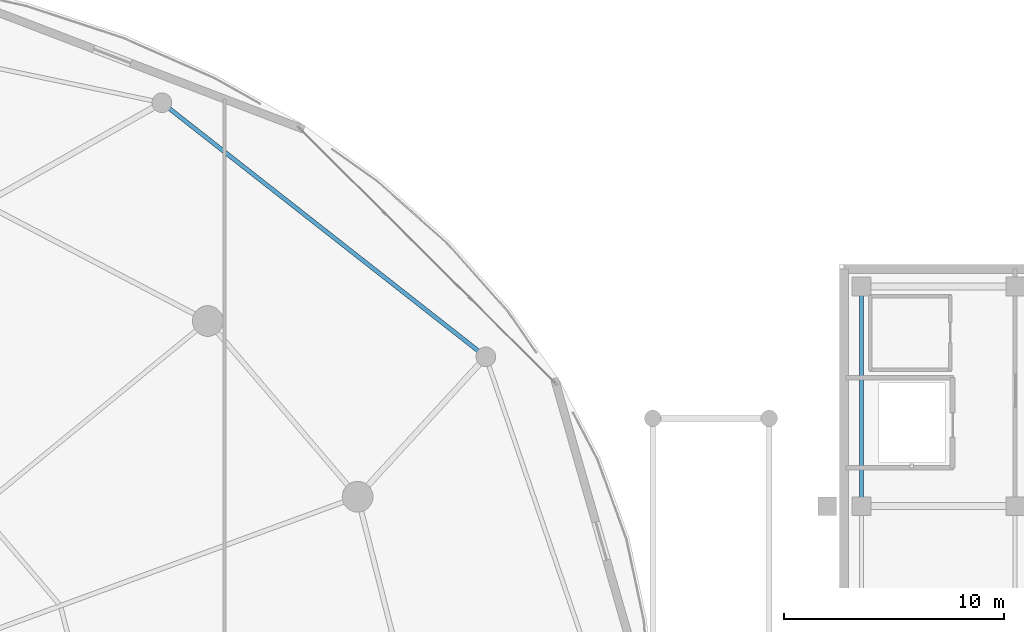
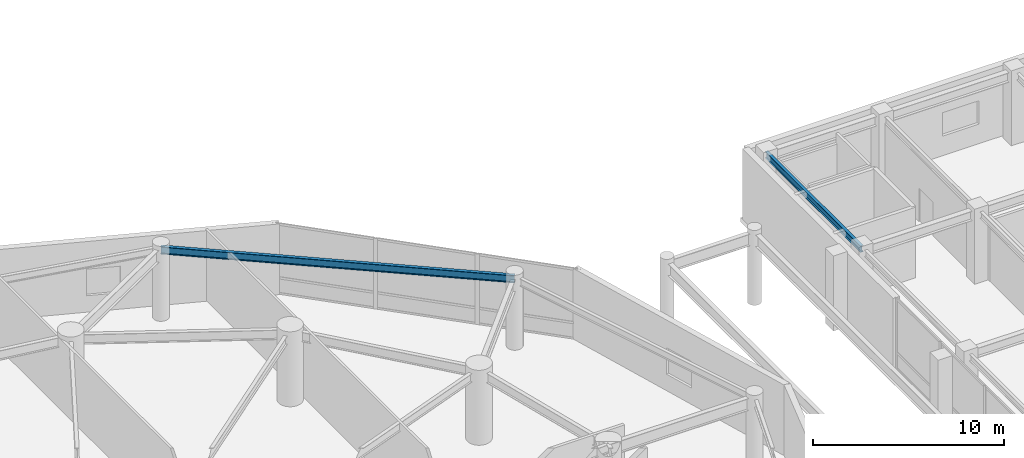
# One storey, part 19 of 40: 2 beams.
"""IFC4 building model written with IfcOpenShell, lengths in metres."""

import ifcopenshell
import ifcopenshell.guid

model = None  # the IFC model being written
_history = None  # IfcOwnerHistory: only IFC2X3 demands one
_inside = {}  # id of a spatial element -> (the spatial element, [elements in it])
_under = {}  # id of a project, library or spatial element -> (it, [spatial elements below it])
_declared = {}  # id of a project -> (the project, [libraries it declares])
_typed = {}  # id of a type object -> (the type object, [elements of that type])
_made_of = {}  # id of a material, layer set ... -> (it, [elements and type objects made of it])


def new_model(schema):
    """Start an empty IFC model of exactly this schema.

    Asked for "IFC4X3", IfcOpenShell would pick the latest addendum, in which some entities
    have other attributes; the version numbers below select the first issue.
    IFC2X3 requires an IfcOwnerHistory on every rooted entity: one is made here for all.
    """
    global model, _history
    if schema == "IFC4X3":
        model = ifcopenshell.file(schema_version=(4, 3, 0, 0))
    else:
        model = ifcopenshell.file(schema=schema)
    _inside.clear()
    _under.clear()
    _declared.clear()
    _typed.clear()
    _made_of.clear()
    _history = None
    if model.schema == "IFC2X3":
        org = make("IfcOrganization", Name="unknown")
        user = make(
            "IfcPersonAndOrganization",
            ThePerson=make("IfcPerson", FamilyName="unknown"),
            TheOrganization=org,
        )
        app = make(
            "IfcApplication",
            ApplicationDeveloper=org,
            Version="unknown",
            ApplicationFullName="unknown",
            ApplicationIdentifier="unknown",
        )
        _history = make(
            "IfcOwnerHistory",
            OwningUser=user,
            OwningApplication=app,
            ChangeAction="ADDED",
            CreationDate=0,
        )
    return model


def make(cls, **values):
    """One entity of the class cls with the attributes given. An attribute that is None is left unset."""
    return model.create_entity(
        cls, **{name: value for name, value in values.items() if value is not None}
    )


def rooted(cls, **values):
    """An entity with a GlobalId (a new one), such as an element, a storey or a relation."""
    return make(cls, GlobalId=ifcopenshell.guid.new(), OwnerHistory=_history, **values)


def si_unit(unit_type, name, prefix=None):
    """IfcSIUnit, for example si_unit("LENGTHUNIT", "METRE", prefix="MILLI")."""
    return make("IfcSIUnit", UnitType=unit_type, Prefix=prefix, Name=name)


def assignment(units):
    """IfcUnitAssignment: the units of a project."""
    return None if units is None else make("IfcUnitAssignment", Units=units)


def point(xyz):
    """IfcCartesianPoint."""
    return None if xyz is None else make("IfcCartesianPoint", Coordinates=xyz)


def direction(xyz):
    """IfcDirection."""
    return None if xyz is None else make("IfcDirection", DirectionRatios=xyz)


def frame(location, z_axis=None, x_axis=None):
    """IfcAxis2Placement3D, a coordinate frame: its origin and axes. An axis left out is left unset."""
    return make(
        "IfcAxis2Placement3D",
        Location=point(location),
        Axis=direction(z_axis),
        RefDirection=direction(x_axis),
    )


def frame_2d(location, x_axis=None):
    """IfcAxis2Placement2D, a coordinate frame in the plane: its origin and x axis."""
    return make(
        "IfcAxis2Placement2D", Location=point(location), RefDirection=direction(x_axis)
    )


def origin():
    """The frame at (0, 0, 0) with its axes left unset."""
    return frame((0.0, 0.0, 0.0))


def origin_2d():
    """The frame at (0, 0) in the plane with its x axis left unset."""
    return frame_2d((0.0, 0.0))


def place(relative_to, where):
    """IfcLocalPlacement: puts the frame where relative to a parent placement (None: the world)."""
    return make(
        "IfcLocalPlacement", PlacementRelTo=relative_to, RelativePlacement=where
    )


def context(
    kind, dimensions, precision=None, world=None, true_north=None, identifier=None
):
    """IfcGeometricRepresentationContext, for example the 3D "Model" context."""
    return make(
        "IfcGeometricRepresentationContext",
        ContextIdentifier=identifier,
        ContextType=kind,
        CoordinateSpaceDimension=dimensions,
        Precision=precision,
        WorldCoordinateSystem=world,
        TrueNorth=true_north,
    )


def subcontext(parent, identifier, kind, view, scale=None):
    """IfcGeometricRepresentationSubContext, for example "Body" below "Model"."""
    return make(
        "IfcGeometricRepresentationSubContext",
        ContextIdentifier=identifier,
        ContextType=kind,
        ParentContext=parent,
        TargetScale=scale,
        TargetView=view,
    )


def project(units=None, contexts=None):
    """IfcProject with its units and contexts."""
    return rooted(
        "IfcProject",
        Name="project",
        RepresentationContexts=contexts,
        UnitsInContext=assignment(units),
    )


def spatial(cls, under=None, at=None, **own):
    """A site, building, storey or space (cls), placed at a placement, below another one or the project."""
    s = rooted(cls, ObjectPlacement=at, **own)
    if under is not None:
        _under.setdefault(under.id(), (under, []))[1].append(s)
    return s


def profile(cls, at=None, kind="AREA", **sizes):
    """A parametric profile (cls). Its sizes go by their IFC names, for example OverallWidth=200.0."""
    return make(cls, ProfileType=kind, Position=at, **sizes)


def i_section(**sizes):
    """IfcIShapeProfileDef."""
    return profile("IfcIShapeProfileDef", **sizes)


def extrude(swept, where, along, depth):
    """IfcExtrudedAreaSolid: the profile swept, set in the frame where, extruded along a direction by depth."""
    return make(
        "IfcExtrudedAreaSolid",
        SweptArea=swept,
        Position=where,
        ExtrudedDirection=direction(along),
        Depth=depth,
    )


def shape(context_of_items, identifier, shape_type, items):
    """IfcShapeRepresentation: the items that make up one representation, for example the "Body"."""
    return make(
        "IfcShapeRepresentation",
        ContextOfItems=context_of_items,
        RepresentationIdentifier=identifier,
        RepresentationType=shape_type,
        Items=items,
    )


def material(Name=None, Category=None):
    """IfcMaterial."""
    return make("IfcMaterial", Name=Name, Category=Category)


def material_profile(
    of_material, cross_section, Name=None, Category=None, Priority=None
):
    """IfcMaterialProfile: a cross section and its material."""
    return make(
        "IfcMaterialProfile",
        Name=Name,
        Material=of_material,
        Profile=cross_section,
        Priority=Priority,
        Category=Category,
    )


def profile_set(profiles, Name=None, composite=None):
    """IfcMaterialProfileSet."""
    return make(
        "IfcMaterialProfileSet",
        Name=Name,
        MaterialProfiles=profiles,
        CompositeProfile=composite,
    )


def made_of(thing, what):
    """Note that an element or type object is made of a material, layer set ...; save() writes the relation."""
    if what is not None:
        _made_of.setdefault(what.id(), (what, []))[1].append(thing)
    return thing


def type_object(cls, material=None, **own):
    """A type object (cls), such as IfcWallType, which elements share."""
    return made_of(rooted(cls, **own), material)


def element(
    cls,
    number,
    at=None,
    inside=None,
    cuts=None,
    type_object=None,
    material=None,
    context=None,
    identifier="Body",
    shape_type=None,
    held_by="IfcProductDefinitionShape",
    body=None,
    shapes=None,
    **own,
):
    """One element of the class cls, such as IfcWall. Its Tag is "e" and its number.

    at: its placement. inside: the storey or other place that contains it. cuts: it is an
    opening in that element (IfcRelVoidsElement). A single representation is given by context,
    identifier, shape_type and body (its items); several are given by shapes. held_by: the class
    of the entity that holds the representations. save() writes the other relations.
    """
    e = rooted(cls, Tag="e%d" % number, ObjectPlacement=at, **own)
    if body is not None:
        shapes = [shape(context, identifier, shape_type, body)]
    if shapes is not None:
        e.Representation = make(held_by, Representations=shapes)
    if inside is not None:
        _inside.setdefault(inside.id(), (inside, []))[1].append(e)
    if cuts is not None:
        rooted(
            "IfcRelVoidsElement", RelatingBuildingElement=cuts, RelatedOpeningElement=e
        )
    if type_object is not None:
        _typed.setdefault(type_object.id(), (type_object, []))[1].append(e)
    return made_of(e, material)


def aggregate(whole, parts):
    """IfcRelAggregates: a whole, such as a stair, and the parts it consists of."""
    return rooted("IfcRelAggregates", RelatingObject=whole, RelatedObjects=parts)


def save(model, path):
    """Write the relations noted so far, then the file.

    IfcRelAggregates (storeys below a building ...), IfcRelContainedInSpatialStructure (elements
    in a storey), IfcRelDefinesByType, IfcRelAssociatesMaterial and IfcRelDeclares: one each for
    every whole, place, type object, material and project.
    """
    for whole, parts in _under.values():
        aggregate(whole, parts)
    for where, things in _inside.values():
        rooted(
            "IfcRelContainedInSpatialStructure",
            RelatedElements=things,
            RelatingStructure=where,
        )
    for kind, things in _typed.values():
        rooted("IfcRelDefinesByType", RelatedObjects=things, RelatingType=kind)
    for what, things in _made_of.values():
        rooted("IfcRelAssociatesMaterial", RelatedObjects=things, RelatingMaterial=what)
    for by, libraries in _declared.values():
        rooted("IfcRelDeclares", RelatingContext=by, RelatedDefinitions=libraries)
    model.write(path)


model = new_model("IFC4")

# Units and contexts
model_context = context("Model", 3, precision=1e-05, world=origin(), true_north=direction((0.0, 1.0)))
body_context = subcontext(model_context, "Body", "Model", "MODEL_VIEW")
ifc_project = project(units=[si_unit("LENGTHUNIT", "METRE"), si_unit("AREAUNIT", "SQUARE_METRE"), si_unit("VOLUMEUNIT", "CUBIC_METRE"), si_unit("PLANEANGLEUNIT", "RADIAN"), si_unit("MASSUNIT", "GRAM", prefix="KILO")], contexts=[model_context])

# Site, building, storey
site_placement = place(None, origin())
site = spatial("IfcSite", under=ifc_project, at=site_placement, CompositionType="ELEMENT")
building_placement = place(site_placement, origin())
building = spatial("IfcBuilding", under=site, at=building_placement, Name="Kazevale Care Tower and Concert Hall", CompositionType="ELEMENT")
storey_placement = place(building_placement, frame((0.0, 0.0, 9.60009765625)))
storey = spatial("IfcBuildingStorey", under=building, at=storey_placement, Name="L02", CompositionType="ELEMENT", Elevation=9.60009765625)

# Beams
ifc_material = material(Name="Steel ASTM A572 Gr 50", Category="steel")
ifc_material_profile_1 = material_profile(ifc_material, i_section(OverallWidth=0.180908203125, OverallDepth=0.4169921875, WebThickness=0.010986328125, FlangeThickness=0.018310546875, at=origin_2d()), Name="W410x85")
ifc_profile_set_1 = profile_set([ifc_material_profile_1], Name="Steel ASTM A572 Gr 50")
beam_type_1 = type_object("IfcBeamType", Name="Concert Hall Secondary Beam W410x85", PredefinedType="BEAM", material=ifc_profile_set_1)
beam_1_placement = place(storey_placement, frame((97.0, 47.0, 4.3115234375), z_axis=(0.0, 1.0, 0.0), x_axis=(-1.0, 0.0, 0.0)))
element("IfcBeam", 1, at=beam_1_placement, inside=storey, type_object=beam_type_1, Name="beam:L02:hy:97_47", PredefinedType="BEAM", context=body_context, shape_type="SweptSolid", body=[
    extrude(i_section(OverallWidth=0.180908203125, OverallDepth=0.4169921875, WebThickness=0.010986328125, FlangeThickness=0.018310546875, at=origin_2d()), origin(), (0.0, 0.0, 1.0), 10.0),
])
ifc_material_profile_2 = material_profile(ifc_material, i_section(OverallWidth=0.194091796875, OverallDepth=0.468994140625, WebThickness=0.0126953125, FlangeThickness=0.0205078125, at=origin_2d()), Name="W460x106")
ifc_profile_set_2 = profile_set([ifc_material_profile_2], Name="Steel ASTM A572 Gr 50")
beam_type_2 = type_object("IfcBeamType", Name="Podium Floor Beam W460x106", PredefinedType="BEAM", material=ifc_profile_set_2)
beam_2_placement = place(storey_placement, frame((79.89990234375, 53.800048828125, 4.285400390625), z_axis=(-0.786816091325, 0.617187522907, 0.0), x_axis=(-0.617187522907, -0.786816091325, 0.0)))
element("IfcBeam", 2, at=beam_2_placement, inside=storey, type_object=beam_type_2, Name="beam:L02:podring:02", PredefinedType="BEAM", context=body_context, shape_type="SweptSolid", body=[
    extrude(i_section(OverallWidth=0.194091796875, OverallDepth=0.468994140625, WebThickness=0.0126953125, FlangeThickness=0.0205078125, at=origin_2d()), origin(), (0.0, 0.0, 1.0), 18.746337890625),
])

save(model, "model.ifc")
